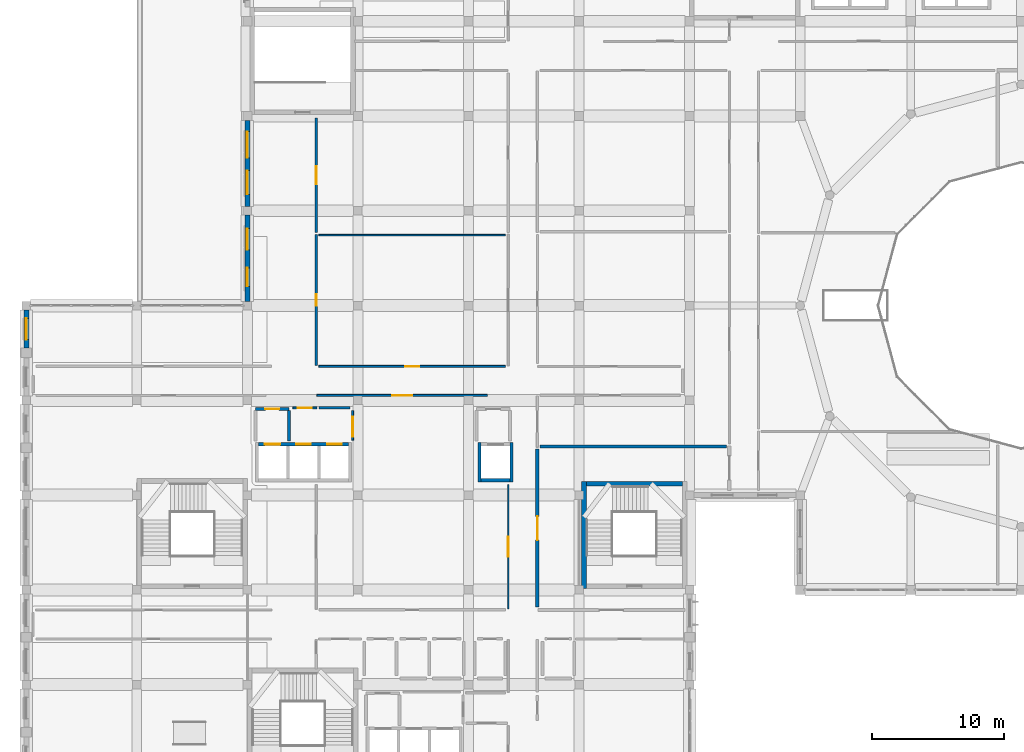
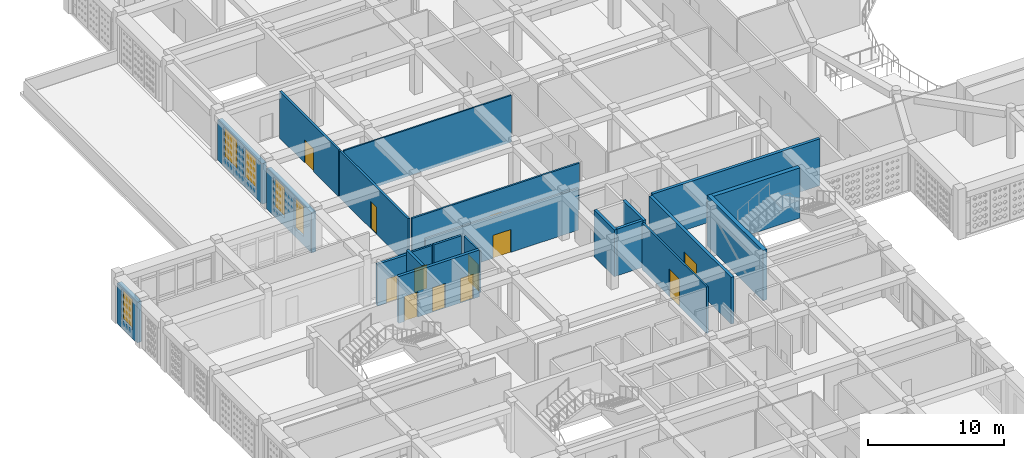
# One storey, part 43 of 79: 22 walls, 12 doors, 5 windows, 17 openings.
"""IFC4 building model written with IfcOpenShell, lengths in metres."""

from ifc_helpers import new_model, si_unit, derived_unit, direction, frame, frame_2d, origin, place, context, subcontext, project, spatial, rectangle, extrude, material, layer, layer_set, type_object, element, fill, save


model = new_model("IFC4")

# Units and contexts
model_context = context("Model", 3, precision=1e-05, world=origin(), true_north=direction((0.0, 1.0)))
body_context = subcontext(model_context, "Body", "Model", "MODEL_VIEW")
ifc_project = project(units=[si_unit("LENGTHUNIT", "METRE"), si_unit("AREAUNIT", "SQUARE_METRE"), si_unit("VOLUMEUNIT", "CUBIC_METRE"), si_unit("PLANEANGLEUNIT", "RADIAN"), si_unit("MASSUNIT", "GRAM", prefix="KILO"), derived_unit("THERMALTRANSMITTANCEUNIT", [(si_unit("POWERUNIT", "WATT"), 1), (si_unit("LENGTHUNIT", "METRE"), -2), (si_unit("THERMODYNAMICTEMPERATUREUNIT", "KELVIN"), -1)])], contexts=[model_context])

# Site, building, storey
site_placement = place(None, origin())
site = spatial("IfcSite", under=ifc_project, at=site_placement, CompositionType="ELEMENT")
building_placement = place(site_placement, origin())
building = spatial("IfcBuilding", under=site, at=building_placement, Name="Veybourne Emporium", CompositionType="ELEMENT")
storey_placement = place(building_placement, frame((0.0, 0.0, 18.89990234375)))
storey = spatial("IfcBuildingStorey", under=building, at=storey_placement, Name="L04", CompositionType="ELEMENT", Elevation=18.89990234375)

# Wall, opening, window
ifc_material_1 = material(Name="Portland Limestone Ashlar", Category="masonry")
ifc_layer_1 = layer(ifc_material_1, 0.3798828125)
ifc_layer_set_1 = layer_set([ifc_layer_1], Name="Portland Limestone Ashlar")
wall_type_1 = type_object("IfcWallType", Name="ExtWall_EW-03", PredefinedType="SOLIDWALL", material=ifc_layer_set_1)
wall_1_placement = place(storey_placement, frame((0.0, 47.169921875, 0.0), z_axis=(0.0, 0.0, 1.0), x_axis=(0.0, 1.0, 0.0)))
wall_1 = element("IfcWall", 1, at=wall_1_placement, inside=storey, type_object=wall_type_1, Name="L04 Portland stone external wall 007B", PredefinedType="SOLIDWALL", context=body_context, shape_type="SweptSolid", body=[
    extrude(rectangle(XDim=2.905029296875, YDim=0.3798828125, at=frame_2d((1.45263671875, 0.0))), origin(), (0.0, 0.0, 1.0), 3.630126953125),
])
opening_1_placement = place(wall_1_placement, frame((0.652587890625, 0.0, 0.75)))
opening_1 = element("IfcOpeningElement", 2, at=opening_1_placement, cuts=wall_1, Name="Opening W-43", PredefinedType="OPENING", context=body_context, shape_type="SweptSolid", body=[
    extrude(rectangle(XDim=1.60009765625, YDim=2.72998046875, at=frame_2d((0.800048828125, 1.364990234375))), frame((0.0, 0.2099609375, 0.0), z_axis=(0.0, -1.0, 0.0), x_axis=(1.0, 0.0, 0.0)), (0.0, 0.0, 1.0), 0.419921875),
])
ifc_material_2 = material(Name="Low-E Triple Glazing", Category="glass")
window_type_1 = type_object("IfcWindowType", Name="Win_W-43", PartitioningType="DOUBLE_PANEL_VERTICAL", PredefinedType="WINDOW", material=ifc_material_2)
window_1_placement = place(opening_1_placement, origin())
window_1 = element("IfcWindow", 3, at=window_1_placement, inside=storey, type_object=window_type_1, Name="L04 tripartite bronze casement window W-43 (7B)", OverallHeight=2.72998046875, OverallWidth=1.60009765625, PartitioningType="DOUBLE_PANEL_VERTICAL", PredefinedType="WINDOW", context=body_context, shape_type="SweptSolid", body=[
    extrude(rectangle(XDim=1.60009765625, YDim=2.72998046875, at=frame_2d((0.800048828125, 1.364990234375))), frame((0.0, 0.030029296875, 0.0), z_axis=(0.0, -1.0, 0.0), x_axis=(1.0, 0.0, 0.0)), (0.0, 0.0, 1.0), 0.06005859375),
])
fill(opening_1, window_1)

# Wall, openings, windows
wall_2_placement = place(storey_placement, frame((16.800048828125, 50.72509765625, 0.0), z_axis=(0.0, 0.0, 1.0), x_axis=(0.0, 1.0, 0.0)))
wall_2 = element("IfcWall", 4, at=wall_2_placement, inside=storey, type_object=wall_type_1, Name="L04 Portland stone external wall 013", PredefinedType="SOLIDWALL", context=body_context, shape_type="SweptSolid", body=[
    extrude(rectangle(XDim=6.5498046875, YDim=0.3798828125, at=frame_2d((3.27490234375, 0.0))), origin(), (0.0, 0.0, 1.0), 3.630126953125),
])
opening_2_placement = place(wall_2_placement, frame((1.134033203125, 0.0, 0.75)))
opening_2 = element("IfcOpeningElement", 5, at=opening_2_placement, cuts=wall_2, Name="Opening W-50", PredefinedType="OPENING", context=body_context, shape_type="SweptSolid", body=[
    extrude(rectangle(XDim=1.39990234375, YDim=2.72998046875, at=frame_2d((0.699951171875, 1.364990234375))), frame((0.0, 0.2099609375, 0.0), z_axis=(0.0, -1.0, 0.0), x_axis=(1.0, 0.0, 0.0)), (0.0, 0.0, 1.0), 0.419921875),
])
opening_3_placement = place(wall_2_placement, frame((3.916015625, 0.0, 0.75)))
opening_3 = element("IfcOpeningElement", 6, at=opening_3_placement, cuts=wall_2, Name="Opening W-51", PredefinedType="OPENING", context=body_context, shape_type="SweptSolid", body=[
    extrude(rectangle(XDim=1.60009765625, YDim=2.72998046875, at=frame_2d((0.800048828125, 1.364990234375))), frame((0.0, 0.2099609375, 0.0), z_axis=(0.0, -1.0, 0.0), x_axis=(1.0, 0.0, 0.0)), (0.0, 0.0, 1.0), 0.419921875),
])
window_type_2 = type_object("IfcWindowType", Name="Win_W-50", PartitioningType="DOUBLE_PANEL_VERTICAL", PredefinedType="WINDOW", material=ifc_material_2)
window_2_placement = place(opening_2_placement, origin())
window_2 = element("IfcWindow", 7, at=window_2_placement, inside=storey, type_object=window_type_2, Name="L04 tripartite bronze casement window W-50 (13.1)", OverallHeight=2.72998046875, OverallWidth=1.39990234375, PartitioningType="DOUBLE_PANEL_VERTICAL", PredefinedType="WINDOW", context=body_context, shape_type="SweptSolid", body=[
    extrude(rectangle(XDim=1.39990234375, YDim=2.72998046875, at=frame_2d((0.699951171875, 1.364990234375))), frame((0.0, 0.030029296875, 0.0), z_axis=(0.0, -1.0, 0.0), x_axis=(1.0, 0.0, 0.0)), (0.0, 0.0, 1.0), 0.06005859375),
])
fill(opening_2, window_2)
window_type_3 = type_object("IfcWindowType", Name="Win_W-51", PartitioningType="DOUBLE_PANEL_VERTICAL", PredefinedType="WINDOW", material=ifc_material_2)
window_3_placement = place(opening_3_placement, origin())
window_3 = element("IfcWindow", 8, at=window_3_placement, inside=storey, type_object=window_type_3, Name="L04 tripartite bronze casement window W-51 (13.2)", OverallHeight=2.72998046875, OverallWidth=1.60009765625, PartitioningType="DOUBLE_PANEL_VERTICAL", PredefinedType="WINDOW", context=body_context, shape_type="SweptSolid", body=[
    extrude(rectangle(XDim=1.60009765625, YDim=2.72998046875, at=frame_2d((0.800048828125, 1.364990234375))), frame((0.0, 0.030029296875, 0.0), z_axis=(0.0, -1.0, 0.0), x_axis=(1.0, 0.0, 0.0)), (0.0, 0.0, 1.0), 0.06005859375),
])
fill(opening_3, window_3)

wall_3_placement = place(storey_placement, frame((16.800048828125, 57.925048828125, 0.0), z_axis=(0.0, 0.0, 1.0), x_axis=(0.0, 1.0, 0.0)))
wall_3 = element("IfcWall", 9, at=wall_3_placement, inside=storey, type_object=wall_type_1, Name="L04 Portland stone external wall 014", PredefinedType="SOLIDWALL", context=body_context, shape_type="SweptSolid", body=[
    extrude(rectangle(XDim=6.52490234375, YDim=0.3798828125, at=frame_2d((3.262451171875, 0.0))), origin(), (0.0, 0.0, 1.0), 3.630126953125),
])
opening_4_placement = place(wall_3_placement, frame((0.927001953125, 0.0, 0.75)))
opening_4 = element("IfcOpeningElement", 10, at=opening_4_placement, cuts=wall_3, Name="Opening W-52", PredefinedType="OPENING", context=body_context, shape_type="SweptSolid", body=[
    extrude(rectangle(XDim=1.800048828125, YDim=2.72998046875, at=frame_2d((0.89990234375, 1.364990234375))), frame((0.0, 0.2099609375, 0.0), z_axis=(0.0, -1.0, 0.0), x_axis=(1.0, 0.0, 0.0)), (0.0, 0.0, 1.0), 0.419921875),
])
opening_5_placement = place(wall_3_placement, frame((3.697998046875, 0.0, 0.75)))
opening_5 = element("IfcOpeningElement", 11, at=opening_5_placement, cuts=wall_3, Name="Opening W-53", PredefinedType="OPENING", context=body_context, shape_type="SweptSolid", body=[
    extrude(rectangle(XDim=2.0, YDim=2.72998046875, at=frame_2d((1.0, 1.364990234375))), frame((0.0, 0.2099609375, 0.0), z_axis=(0.0, -1.0, 0.0), x_axis=(1.0, 0.0, 0.0)), (0.0, 0.0, 1.0), 0.419921875),
])
window_type_4 = type_object("IfcWindowType", Name="Win_W-52", PartitioningType="DOUBLE_PANEL_VERTICAL", PredefinedType="WINDOW", material=ifc_material_2)
window_4_placement = place(opening_4_placement, origin())
window_4 = element("IfcWindow", 12, at=window_4_placement, inside=storey, type_object=window_type_4, Name="L04 tripartite bronze casement window W-52 (14.1)", OverallHeight=2.72998046875, OverallWidth=1.800048828125, PartitioningType="DOUBLE_PANEL_VERTICAL", PredefinedType="WINDOW", context=body_context, shape_type="SweptSolid", body=[
    extrude(rectangle(XDim=1.800048828125, YDim=2.72998046875, at=frame_2d((0.89990234375, 1.364990234375))), frame((0.0, 0.030029296875, 0.0), z_axis=(0.0, -1.0, 0.0), x_axis=(1.0, 0.0, 0.0)), (0.0, 0.0, 1.0), 0.06005859375),
])
fill(opening_4, window_4)
window_type_5 = type_object("IfcWindowType", Name="Win_W-53", PartitioningType="TRIPLE_PANEL_VERTICAL", PredefinedType="WINDOW", material=ifc_material_2)
window_5_placement = place(opening_5_placement, origin())
window_5 = element("IfcWindow", 13, at=window_5_placement, inside=storey, type_object=window_type_5, Name="L04 tripartite bronze casement window W-53 (14.2)", OverallHeight=2.72998046875, OverallWidth=2.0, PartitioningType="TRIPLE_PANEL_VERTICAL", PredefinedType="WINDOW", context=body_context, shape_type="SweptSolid", body=[
    extrude(rectangle(XDim=2.0, YDim=2.72998046875, at=frame_2d((1.0, 1.364990234375))), frame((0.0, 0.030029296875, 0.0), z_axis=(0.0, -1.0, 0.0), x_axis=(1.0, 0.0, 0.0)), (0.0, 0.0, 1.0), 0.06005859375),
])
fill(opening_5, window_5)

# Walls
ifc_material_3 = material(Name="Concrete C40/50", Category="concrete")
ifc_layer_2 = layer(ifc_material_3, 0.35009765625)
ifc_layer_set_2 = layer_set([ifc_layer_2], Name="Concrete C40/50")
wall_type_2 = type_object("IfcWallType", Name="IntWall_CW-02", PredefinedType="SHEAR", material=ifc_layer_set_2)
wall_4_placement = place(storey_placement, frame((42.550048828125, 36.875, 0.0), z_axis=(0.0, 0.0, 1.0), x_axis=(1.0, 0.0, 0.0)))
element("IfcWall", 14, at=wall_4_placement, inside=storey, type_object=wall_type_2, Name="Core stair ST-05 north shear wall (L04)", PredefinedType="SHEAR", context=body_context, shape_type="SweptSolid", body=[
    extrude(rectangle(XDim=7.300048828125, YDim=0.35009765625, at=frame_2d((3.64990234375, 0.0))), origin(), (0.0, 0.0, 1.0), 4.5),
])
wall_5_placement = place(storey_placement, frame((42.375, 37.050048828125, 0.0), z_axis=(0.0, 0.0, 1.0), x_axis=(0.0, -1.0, 0.0)))
element("IfcWall", 15, at=wall_5_placement, inside=storey, type_object=wall_type_2, Name="Core stair ST-05 west shear wall (L04)", PredefinedType="SHEAR", context=body_context, shape_type="SweptSolid", body=[
    extrude(rectangle(XDim=8.150146484375, YDim=0.35009765625, at=frame_2d((4.0751953125, 0.0))), origin(), (0.0, 0.0, 1.0), 4.5),
])

# Wall, openings, doors
ifc_layer_3 = layer(ifc_material_3, 0.239990234375)
ifc_layer_set_3 = layer_set([ifc_layer_3], Name="Concrete C40/50")
wall_type_3 = type_object("IfcWallType", Name="IntWall_CW-04", PredefinedType="SHEAR", material=ifc_layer_set_3)
wall_6_placement = place(storey_placement, frame((24.47998046875, 39.8701171875, 0.0), z_axis=(0.0, 0.0, 1.0), x_axis=(-1.0, 0.0, 0.0)))
wall_6 = element("IfcWall", 16, at=wall_6_placement, inside=storey, type_object=wall_type_3, Name="Lift core C2 north shaft wall (L04)", PredefinedType="SHEAR", context=body_context, shape_type="SweptSolid", body=[
    extrude(rectangle(XDim=6.820068359375, YDim=0.239990234375, at=frame_2d((3.41015625, 0.0))), origin(), (0.0, 0.0, 1.0), 4.18017578125),
])
opening_6_placement = place(wall_6_placement, frame((5.195068359375, 0.0, 0.0)))
opening_6 = element("IfcOpeningElement", 17, at=opening_6_placement, cuts=wall_6, Name="Opening LD-02", PredefinedType="OPENING", context=body_context, shape_type="SweptSolid", body=[
    extrude(rectangle(XDim=1.14990234375, YDim=2.25, at=frame_2d((0.574951171875, 1.125))), frame((0.0, 0.14013671875, 0.0), z_axis=(0.0, -1.0, 0.0), x_axis=(1.0, 0.0, 0.0)), (0.0, 0.0, 1.0), 0.280029296875),
])
opening_7_placement = place(wall_6_placement, frame((2.8701171875, 0.0, 0.0)))
opening_7 = element("IfcOpeningElement", 18, at=opening_7_placement, cuts=wall_6, Name="Opening LD-01", PredefinedType="OPENING", context=body_context, shape_type="SweptSolid", body=[
    extrude(rectangle(XDim=1.10009765625, YDim=2.199951171875, at=frame_2d((0.550048828125, 1.10009765625))), frame((0.0, 0.14013671875, 0.0), z_axis=(0.0, -1.0, 0.0), x_axis=(1.0, 0.0, 0.0)), (0.0, 0.0, 1.0), 0.280029296875),
])
opening_8_placement = place(wall_6_placement, frame((0.510009765625, 0.0, 0.0)))
opening_8 = element("IfcOpeningElement", 19, at=opening_8_placement, cuts=wall_6, Name="Opening LD-01", PredefinedType="OPENING", context=body_context, shape_type="SweptSolid", body=[
    extrude(rectangle(XDim=1.10009765625, YDim=2.199951171875, at=frame_2d((0.550048828125, 1.10009765625))), frame((0.0, 0.14013671875, 0.0), z_axis=(0.0, -1.0, 0.0), x_axis=(1.0, 0.0, 0.0)), (0.0, 0.0, 1.0), 0.280029296875),
])
ifc_material_4 = material(Name="Patinated Architectural Bronze", Category="bronze")
door_type_1 = type_object("IfcDoorType", Name="FireDoor_LD-01", OperationType="DOUBLE_DOOR_SLIDING", PredefinedType="DOOR", material=ifc_material_4)
door_1_placement = place(opening_7_placement, origin())
door_1 = element("IfcDoor", 20, at=door_1_placement, inside=storey, type_object=door_type_1, Name="Lift PL-03 sliding landing door (L04)", OperationType="DOUBLE_DOOR_SLIDING", OverallHeight=2.199951171875, OverallWidth=1.10009765625, PredefinedType="DOOR", context=body_context, shape_type="SweptSolid", body=[
    extrude(rectangle(XDim=1.10009765625, YDim=2.199951171875, at=frame_2d((0.550048828125, 1.10009765625))), frame((0.0, 0.02490234375, 0.0), z_axis=(0.0, -1.0, 0.0), x_axis=(1.0, 0.0, 0.0)), (0.0, 0.0, 1.0), 0.050048828125),
])
fill(opening_7, door_1)
door_2_placement = place(opening_8_placement, origin())
door_2 = element("IfcDoor", 21, at=door_2_placement, inside=storey, type_object=door_type_1, Name="Lift PL-04 sliding landing door (L04)", OperationType="DOUBLE_DOOR_SLIDING", OverallHeight=2.199951171875, OverallWidth=1.10009765625, PredefinedType="DOOR", context=body_context, shape_type="SweptSolid", body=[
    extrude(rectangle(XDim=1.10009765625, YDim=2.199951171875, at=frame_2d((0.550048828125, 1.10009765625))), frame((0.0, 0.02490234375, 0.0), z_axis=(0.0, -1.0, 0.0), x_axis=(1.0, 0.0, 0.0)), (0.0, 0.0, 1.0), 0.050048828125),
])
fill(opening_8, door_2)
door_type_2 = type_object("IfcDoorType", Name="FireDoor_LD-02", OperationType="SLIDING_TO_LEFT", PredefinedType="DOOR", material=ifc_material_4)
door_3_placement = place(opening_6_placement, origin())
door_3 = element("IfcDoor", 22, at=door_3_placement, inside=storey, type_object=door_type_2, Name="Lift FFL-02 sliding landing door (L04)", OperationType="SLIDING_TO_LEFT", OverallHeight=2.25, OverallWidth=1.14990234375, PredefinedType="DOOR", context=body_context, shape_type="SweptSolid", body=[
    extrude(rectangle(XDim=1.14990234375, YDim=2.25, at=frame_2d((0.574951171875, 1.125))), frame((0.0, 0.02490234375, 0.0), z_axis=(0.0, -1.0, 0.0), x_axis=(1.0, 0.0, 0.0)), (0.0, 0.0, 1.0), 0.050048828125),
])
fill(opening_6, door_3)

# Walls
wall_7_placement = place(storey_placement, frame((34.56005859375, 37.1298828125, 0.0), z_axis=(0.0, 0.0, 1.0), x_axis=(1.0, 0.0, 0.0)))
element("IfcWall", 23, at=wall_7_placement, inside=storey, type_object=wall_type_3, Name="Lift core C3 south shaft wall (L04)", PredefinedType="SHEAR", context=body_context, shape_type="SweptSolid", body=[
    extrude(rectangle(XDim=2.199951171875, YDim=0.239990234375, at=frame_2d((1.10009765625, 0.0))), origin(), (0.0, 0.0, 1.0), 4.18017578125),
])
for number, where, z_axis, x_axis, name in (
    (24, (34.43994140625, 39.989990234375, 0.0), (0.0, 0.0, 1.0), (0.0, -1.0, 0.0), "Lift core C3 west shaft wall (L04)"),
    (25, (36.8798828125, 37.010009765625, 0.0), (0.0, 0.0, 1.0), (0.0, 1.0, 0.0), "Lift core C3 east shaft wall (L04)"),
):
    element("IfcWall", number, at=place(storey_placement, frame(where, z_axis=z_axis, x_axis=x_axis)), inside=storey, type_object=wall_type_3, Name=name, PredefinedType="SHEAR", context=body_context, shape_type="SweptSolid", body=[
        extrude(rectangle(XDim=2.97998046875, YDim=0.239990234375, at=frame_2d((1.489990234375, 0.0))), origin(), (0.0, 0.0, 1.0), 4.18017578125),
    ])

# Wall, opening, door
ifc_material_5 = material(Name="Concrete C32/40", Category="concrete")
ifc_layer_4 = layer(ifc_material_5, 0.25)
ifc_layer_set_4 = layer_set([ifc_layer_4], Name="Concrete C32/40")
wall_type_4 = type_object("IfcWallType", Name="IntWall_FW-01", PredefinedType="SOLIDWALL", material=ifc_layer_set_4)
wall_8_placement = place(storey_placement, frame((38.830078125, 27.489990234375, 0.0), z_axis=(0.0, 0.0, 1.0), x_axis=(0.0, 1.0, 0.0)))
wall_8 = element("IfcWall", 26, at=wall_8_placement, inside=storey, type_object=wall_type_4, Name="L04 interior partition FW-01 #026", PredefinedType="SOLIDWALL", context=body_context, shape_type="SweptSolid", body=[
    extrude(rectangle(XDim=12.0, YDim=0.25, at=frame_2d((6.0, 0.0))), origin(), (0.0, 0.0, 1.0), 4.18017578125),
])
opening_9_placement = place(wall_8_placement, frame((5.10009765625, 0.0, 0.0)))
opening_9 = element("IfcOpeningElement", 27, at=opening_9_placement, cuts=wall_8, Name="Opening FD-03", PredefinedType="OPENING", context=body_context, shape_type="SweptSolid", body=[
    extrude(rectangle(XDim=1.800048828125, YDim=2.300048828125, at=frame_2d((0.89990234375, 1.14990234375))), frame((0.0, 0.14501953125, 0.0), z_axis=(0.0, -1.0, 0.0), x_axis=(1.0, 0.0, 0.0)), (0.0, 0.0, 1.0), 0.2900390625),
])
door_type_3 = type_object("IfcDoorType", Name="FireDoor_FD-03", OperationType="DOUBLE_DOOR_SINGLE_SWING", PredefinedType="DOOR", material=ifc_material_4)
door_4_placement = place(opening_9_placement, origin())
door_4 = element("IfcDoor", 28, at=door_4_placement, inside=storey, type_object=door_type_3, Name="L04 interior door FD-03 (PART-L04-026)", OperationType="DOUBLE_DOOR_SINGLE_SWING", OverallHeight=2.300048828125, OverallWidth=1.800048828125, PredefinedType="DOOR", context=body_context, shape_type="SweptSolid", body=[
    extrude(rectangle(XDim=1.800048828125, YDim=2.300048828125, at=frame_2d((0.89990234375, 1.14990234375))), frame((0.0, 0.02490234375, 0.0), z_axis=(0.0, -1.0, 0.0), x_axis=(1.0, 0.0, 0.0)), (0.0, 0.0, 1.0), 0.050048828125),
])
fill(opening_9, door_4)

# Wall
wall_9_placement = place(storey_placement, frame((39.0400390625, 39.699951171875, 0.0), z_axis=(0.0, 0.0, 1.0), x_axis=(1.0, 0.0, 0.0)))
element("IfcWall", 29, at=wall_9_placement, inside=storey, type_object=wall_type_4, Name="L04 interior partition FW-01 #111", PredefinedType="SOLIDWALL", context=body_context, shape_type="SweptSolid", body=[
    extrude(rectangle(XDim=14.169921875, YDim=0.25, at=frame_2d((7.0849609375, 0.0))), origin(), (0.0, 0.0, 1.0), 4.18017578125),
])

# Wall, opening, door
ifc_layer_5 = layer(ifc_material_5, 0.219970703125)
ifc_layer_set_5 = layer_set([ifc_layer_5], Name="Concrete C32/40")
wall_type_5 = type_object("IfcWallType", Name="IntWall_FW-02", PredefinedType="SOLIDWALL", material=ifc_layer_set_5)
wall_10_placement = place(storey_placement, frame((17.419921875, 42.550048828125, 0.0), z_axis=(0.0, 0.0, 1.0), x_axis=(1.0, 0.0, 0.0)))
wall_10 = element("IfcWall", 30, at=wall_10_placement, inside=storey, type_object=wall_type_5, Name="Firefighting lobby C2 fire wall N (L04)", PredefinedType="SOLIDWALL", context=body_context, shape_type="SweptSolid", body=[
    extrude(rectangle(XDim=2.5400390625, YDim=0.219970703125, at=frame_2d((1.27001953125, 0.0))), origin(), (0.0, 0.0, 1.0), 3.72998046875),
])
opening_10_placement = place(wall_10_placement, frame((0.7451171875, 0.0, 0.0)))
opening_10 = element("IfcOpeningElement", 31, at=opening_10_placement, cuts=wall_10, Name="Opening FD-02", PredefinedType="OPENING", context=body_context, shape_type="SweptSolid", body=[
    extrude(rectangle(XDim=1.050048828125, YDim=2.14990234375, at=frame_2d((0.52490234375, 1.074951171875))), frame((0.0, 0.1298828125, 0.0), z_axis=(0.0, -1.0, 0.0), x_axis=(1.0, 0.0, 0.0)), (0.0, 0.0, 1.0), 0.260009765625),
])
door_type_4 = type_object("IfcDoorType", Name="FireDoor_FD-02", OperationType="NOTDEFINED", PredefinedType="DOOR", material=ifc_material_4)
door_5_placement = place(opening_10_placement, origin())
door_5 = element("IfcDoor", 32, at=door_5_placement, inside=storey, type_object=door_type_4, Name="Firefighting lobby C2 FD60S door N (L04)", OperationType="SINGLE_SWING_LEFT", OverallHeight=2.14990234375, OverallWidth=1.050048828125, PredefinedType="DOOR", context=body_context, shape_type="SweptSolid", body=[
    extrude(rectangle(XDim=1.050048828125, YDim=2.14990234375, at=frame_2d((0.52490234375, 1.074951171875))), frame((0.0, 0.02490234375, 0.0), z_axis=(0.0, -1.0, 0.0), x_axis=(1.0, 0.0, 0.0)), (0.0, 0.0, 1.0), 0.050048828125),
])
fill(opening_10, door_5)

# Wall
wall_11_placement = place(storey_placement, frame((19.9599609375, 40.110107421875, 0.0), z_axis=(0.0, 0.0, 1.0), x_axis=(0.0, 1.0, 0.0)))
element("IfcWall", 33, at=wall_11_placement, inside=storey, type_object=wall_type_5, Name="Firefighting lobby C2 fire wall E (L04)", PredefinedType="SOLIDWALL", context=body_context, shape_type="SweptSolid", body=[
    extrude(rectangle(XDim=2.31982421875, YDim=0.219970703125, at=frame_2d((1.159912109375, 0.0))), origin(), (0.0, 0.0, 1.0), 4.18017578125),
])

# Wall, opening, door
ifc_material_6 = material(Name="Gypsum Acoustic Board", Category="gypsum")
ifc_layer_6 = layer(ifc_material_6, 0.179931640625)
ifc_layer_set_6 = layer_set([ifc_layer_6], Name="Gypsum Acoustic Board")
wall_type_6 = type_object("IfcWallType", Name="IntWall_IW-01", PredefinedType="PARTITIONING", material=ifc_layer_set_6)
wall_12_placement = place(storey_placement, frame((22.030029296875, 45.830078125, 0.0), z_axis=(0.0, 0.0, 1.0), x_axis=(0.0, 1.0, 0.0)))
wall_12 = element("IfcWall", 34, at=wall_12_placement, inside=storey, type_object=wall_type_6, Name="L04 interior partition IW-01 #043", PredefinedType="PARTITIONING", context=body_context, shape_type="SweptSolid", body=[
    extrude(rectangle(XDim=9.974853515625, YDim=0.179931640625, at=frame_2d((4.9873046875, 0.0))), origin(), (0.0, 0.0, 1.0), 4.18017578125),
])
opening_11_placement = place(wall_12_placement, frame((4.547607421875, 0.0, 0.0)))
opening_11 = element("IfcOpeningElement", 35, at=opening_11_placement, cuts=wall_12, Name="Opening D-31", PredefinedType="OPENING", context=body_context, shape_type="SweptSolid", body=[
    extrude(rectangle(XDim=0.8798828125, YDim=2.449951171875, at=frame_2d((0.43994140625, 1.22509765625))), frame((0.0, 0.10986328125, 0.0), z_axis=(0.0, -1.0, 0.0), x_axis=(1.0, 0.0, 0.0)), (0.0, 0.0, 1.0), 0.219970703125),
])
ifc_material_7 = material(Name="European Oak Veneer and Bronze", Category="wood")
door_type_5 = type_object("IfcDoorType", Name="IntDoor_D-31", OperationType="NOTDEFINED", PredefinedType="DOOR", material=ifc_material_7)
door_6_placement = place(opening_11_placement, origin())
door_6 = element("IfcDoor", 36, at=door_6_placement, inside=storey, type_object=door_type_5, Name="L04 interior door D-31 (PART-L04-043)", OperationType="SINGLE_SWING_LEFT", OverallHeight=2.449951171875, OverallWidth=0.8798828125, PredefinedType="DOOR", context=body_context, shape_type="SweptSolid", body=[
    extrude(rectangle(XDim=0.8798828125, YDim=2.449951171875, at=frame_2d((0.43994140625, 1.22509765625))), frame((0.0, 0.02490234375, 0.0), z_axis=(0.0, -1.0, 0.0), x_axis=(1.0, 0.0, 0.0)), (0.0, 0.0, 1.0), 0.050048828125),
])
fill(opening_11, door_6)

wall_13_placement = place(storey_placement, frame((22.030029296875, 55.965087890625, 0.0), z_axis=(0.0, 0.0, 1.0), x_axis=(0.0, 1.0, 0.0)))
wall_13 = element("IfcWall", 37, at=wall_13_placement, inside=storey, type_object=wall_type_6, Name="L04 interior partition IW-01 #052", PredefinedType="PARTITIONING", context=body_context, shape_type="SweptSolid", body=[
    extrude(rectangle(XDim=8.67138671875, YDim=0.179931640625, at=frame_2d((4.335693359375, 0.0))), origin(), (0.0, 0.0, 1.0), 4.18017578125),
])
opening_12_placement = place(wall_13_placement, frame((3.65576171875, 0.0, 0.0)))
opening_12 = element("IfcOpeningElement", 38, at=opening_12_placement, cuts=wall_13, Name="Opening D-04", PredefinedType="OPENING", context=body_context, shape_type="SweptSolid", body=[
    extrude(rectangle(XDim=1.360107421875, YDim=2.050048828125, at=frame_2d((0.68017578125, 1.02490234375))), frame((0.0, 0.10986328125, 0.0), z_axis=(0.0, -1.0, 0.0), x_axis=(1.0, 0.0, 0.0)), (0.0, 0.0, 1.0), 0.219970703125),
])
door_type_6 = type_object("IfcDoorType", Name="IntDoor_D-04", OperationType="NOTDEFINED", PredefinedType="DOOR", material=ifc_material_7)
door_7_placement = place(opening_12_placement, origin())
door_7 = element("IfcDoor", 39, at=door_7_placement, inside=storey, type_object=door_type_6, Name="L04 interior door D-04 (PART-L04-052)", OperationType="SINGLE_SWING_RIGHT", OverallHeight=2.050048828125, OverallWidth=1.360107421875, PredefinedType="DOOR", context=body_context, shape_type="SweptSolid", body=[
    extrude(rectangle(XDim=1.360107421875, YDim=2.050048828125, at=frame_2d((0.68017578125, 1.02490234375))), frame((0.0, 0.02490234375, 0.0), z_axis=(0.0, -1.0, 0.0), x_axis=(1.0, 0.0, 0.0)), (0.0, 0.0, 1.0), 0.050048828125),
])
fill(opening_12, door_7)

# Wall
wall_14_placement = place(storey_placement, frame((22.239990234375, 42.6298828125, 0.0), z_axis=(0.0, 0.0, 1.0), x_axis=(1.0, 0.0, 0.0)))
element("IfcWall", 40, at=wall_14_placement, inside=storey, type_object=wall_type_6, Name="L04 interior partition IW-01 #076", PredefinedType="PARTITIONING", context=body_context, shape_type="SweptSolid", body=[
    extrude(rectangle(XDim=2.35009765625, YDim=0.179931640625, at=frame_2d((1.175048828125, 0.0))), origin(), (0.0, 0.0, 1.0), 3.72998046875),
])

# Wall, opening, door
ifc_layer_7 = layer(ifc_material_6, 0.14990234375)
ifc_layer_set_7 = layer_set([ifc_layer_7], Name="Gypsum Acoustic Board")
wall_type_7 = type_object("IfcWallType", Name="IntWall_IW-02", PredefinedType="PARTITIONING", material=ifc_layer_set_7)
wall_15_placement = place(storey_placement, frame((22.080078125, 43.570068359375, 0.0), z_axis=(0.0, 0.0, 1.0), x_axis=(1.0, 0.0, 0.0)))
wall_15 = element("IfcWall", 41, at=wall_15_placement, inside=storey, type_object=wall_type_7, Name="L04 interior partition IW-02 #017", PredefinedType="PARTITIONING", context=body_context, shape_type="SweptSolid", body=[
    extrude(rectangle(XDim=12.9501953125, YDim=0.14990234375, at=frame_2d((6.47509765625, 0.0))), origin(), (0.0, 0.0, 1.0), 3.72998046875),
])
opening_13_placement = place(wall_15_placement, frame((5.715087890625, 0.0, 0.0)))
opening_13 = element("IfcOpeningElement", 42, at=opening_13_placement, cuts=wall_15, Name="Opening D-05", PredefinedType="OPENING", context=body_context, shape_type="SweptSolid", body=[
    extrude(rectangle(XDim=1.52001953125, YDim=2.050048828125, at=frame_2d((0.760009765625, 1.02490234375))), frame((0.0, 0.094970703125, 0.0), z_axis=(0.0, -1.0, 0.0), x_axis=(1.0, 0.0, 0.0)), (0.0, 0.0, 1.0), 0.18994140625),
])
door_type_7 = type_object("IfcDoorType", Name="IntDoor_D-05", OperationType="NOTDEFINED", PredefinedType="DOOR", material=ifc_material_7)
door_8_placement = place(opening_13_placement, origin())
door_8 = element("IfcDoor", 43, at=door_8_placement, inside=storey, type_object=door_type_7, Name="L04 interior door D-05 (PART-L04-017)", OperationType="SINGLE_SWING_RIGHT", OverallHeight=2.050048828125, OverallWidth=1.52001953125, PredefinedType="DOOR", context=body_context, shape_type="SweptSolid", body=[
    extrude(rectangle(XDim=1.52001953125, YDim=2.050048828125, at=frame_2d((0.760009765625, 1.02490234375))), frame((0.0, 0.02490234375, 0.0), z_axis=(0.0, -1.0, 0.0), x_axis=(1.0, 0.0, 0.0)), (0.0, 0.0, 1.0), 0.050048828125),
])
fill(opening_13, door_8)

wall_16_placement = place(storey_placement, frame((22.239990234375, 45.780029296875, 0.0), z_axis=(0.0, 0.0, 1.0), x_axis=(1.0, 0.0, 0.0)))
wall_16 = element("IfcWall", 44, at=wall_16_placement, inside=storey, type_object=wall_type_7, Name="L04 interior partition IW-02 #020", PredefinedType="PARTITIONING", context=body_context, shape_type="SweptSolid", body=[
    extrude(rectangle(XDim=14.169921875, YDim=0.14990234375, at=frame_2d((7.0849609375, 0.0))), origin(), (0.0, 0.0, 1.0), 4.18017578125),
])
opening_14_placement = place(wall_16_placement, frame((6.56494140625, 0.0, 0.0)))
opening_14 = element("IfcOpeningElement", 45, at=opening_14_placement, cuts=wall_16, Name="Opening D-08", PredefinedType="OPENING", context=body_context, shape_type="SweptSolid", body=[
    extrude(rectangle(XDim=1.0400390625, YDim=2.1298828125, at=frame_2d((0.52001953125, 1.06494140625))), frame((0.0, 0.094970703125, 0.0), z_axis=(0.0, -1.0, 0.0), x_axis=(1.0, 0.0, 0.0)), (0.0, 0.0, 1.0), 0.18994140625),
])
door_type_8 = type_object("IfcDoorType", Name="IntDoor_D-08", OperationType="NOTDEFINED", PredefinedType="DOOR", material=ifc_material_7)
door_9_placement = place(opening_14_placement, origin())
door_9 = element("IfcDoor", 46, at=door_9_placement, inside=storey, type_object=door_type_8, Name="L04 interior door D-08 (PART-L04-020)", OperationType="SINGLE_SWING_RIGHT", OverallHeight=2.1298828125, OverallWidth=1.0400390625, PredefinedType="DOOR", context=body_context, shape_type="SweptSolid", body=[
    extrude(rectangle(XDim=1.0400390625, YDim=2.1298828125, at=frame_2d((0.52001953125, 1.06494140625))), frame((0.0, 0.02490234375, 0.0), z_axis=(0.0, -1.0, 0.0), x_axis=(1.0, 0.0, 0.0)), (0.0, 0.0, 1.0), 0.050048828125),
])
fill(opening_14, door_9)

wall_17_placement = place(storey_placement, frame((36.6201171875, 27.330078125, 0.0), z_axis=(0.0, 0.0, 1.0), x_axis=(0.0, 1.0, 0.0)))
wall_17 = element("IfcWall", 47, at=wall_17_placement, inside=storey, type_object=wall_type_7, Name="L04 interior partition IW-02 #047", PredefinedType="PARTITIONING", context=body_context, shape_type="SweptSolid", body=[
    extrude(rectangle(XDim=9.469970703125, YDim=0.14990234375, at=frame_2d((4.73486328125, 0.0))), origin(), (0.0, 0.0, 1.0), 4.18017578125),
])
opening_15_placement = place(wall_17_placement, frame((3.97509765625, 0.0, 0.0)))
opening_15 = element("IfcOpeningElement", 48, at=opening_15_placement, cuts=wall_17, Name="Opening D-35", PredefinedType="OPENING", context=body_context, shape_type="SweptSolid", body=[
    extrude(rectangle(XDim=1.52001953125, YDim=2.449951171875, at=frame_2d((0.760009765625, 1.22509765625))), frame((0.0, 0.094970703125, 0.0), z_axis=(0.0, -1.0, 0.0), x_axis=(1.0, 0.0, 0.0)), (0.0, 0.0, 1.0), 0.18994140625),
])
door_type_9 = type_object("IfcDoorType", Name="IntDoor_D-35", OperationType="NOTDEFINED", PredefinedType="DOOR", material=ifc_material_7)
door_10_placement = place(opening_15_placement, origin())
door_10 = element("IfcDoor", 49, at=door_10_placement, inside=storey, type_object=door_type_9, Name="L04 interior door D-35 (PART-L04-047)", OperationType="SINGLE_SWING_LEFT", OverallHeight=2.449951171875, OverallWidth=1.52001953125, PredefinedType="DOOR", context=body_context, shape_type="SweptSolid", body=[
    extrude(rectangle(XDim=1.52001953125, YDim=2.449951171875, at=frame_2d((0.760009765625, 1.22509765625))), frame((0.0, 0.02490234375, 0.0), z_axis=(0.0, -1.0, 0.0), x_axis=(1.0, 0.0, 0.0)), (0.0, 0.0, 1.0), 0.050048828125),
])
fill(opening_15, door_10)

wall_18_placement = place(storey_placement, frame((24.800048828125, 40.177978515625, 0.0), z_axis=(0.0, 0.0, 1.0), x_axis=(0.0, 1.0, 0.0)))
wall_18 = element("IfcWall", 50, at=wall_18_placement, inside=storey, type_object=wall_type_7, Name="L04 interior partition IW-02 #077", PredefinedType="PARTITIONING", context=body_context, shape_type="SweptSolid", body=[
    extrude(rectangle(XDim=2.241943359375, YDim=0.14990234375, at=frame_2d((1.12109375, 0.0))), origin(), (0.0, 0.0, 1.0), 3.72998046875),
])
opening_16_placement = place(wall_18_placement, frame((0.24560546875, 0.0, 0.0)))
opening_16 = element("IfcOpeningElement", 51, at=opening_16_placement, cuts=wall_18, Name="Opening D-29", PredefinedType="OPENING", context=body_context, shape_type="SweptSolid", body=[
    extrude(rectangle(XDim=1.52001953125, YDim=2.3701171875, at=frame_2d((0.760009765625, 1.18505859375))), frame((0.0, 0.094970703125, 0.0), z_axis=(0.0, -1.0, 0.0), x_axis=(1.0, 0.0, 0.0)), (0.0, 0.0, 1.0), 0.18994140625),
])
door_type_10 = type_object("IfcDoorType", Name="IntDoor_D-29", OperationType="NOTDEFINED", PredefinedType="DOOR", material=ifc_material_7)
door_11_placement = place(opening_16_placement, origin())
door_11 = element("IfcDoor", 52, at=door_11_placement, inside=storey, type_object=door_type_10, Name="L04 interior door D-29 (PART-L04-077)", OperationType="SINGLE_SWING_RIGHT", OverallHeight=2.3701171875, OverallWidth=1.52001953125, PredefinedType="DOOR", context=body_context, shape_type="SweptSolid", body=[
    extrude(rectangle(XDim=1.52001953125, YDim=2.3701171875, at=frame_2d((0.760009765625, 1.18505859375))), frame((0.0, 0.02490234375, 0.0), z_axis=(0.0, -1.0, 0.0), x_axis=(1.0, 0.0, 0.0)), (0.0, 0.0, 1.0), 0.050048828125),
])
fill(opening_16, door_11)

wall_19_placement = place(storey_placement, frame((20.25, 42.6298828125, 0.0), z_axis=(0.0, 0.0, 1.0), x_axis=(1.0, 0.0, 0.0)))
wall_19 = element("IfcWall", 53, at=wall_19_placement, inside=storey, type_object=wall_type_7, Name="L04 interior partition IW-02 #092", PredefinedType="PARTITIONING", context=body_context, shape_type="SweptSolid", body=[
    extrude(rectangle(XDim=1.830078125, YDim=0.14990234375, at=frame_2d((0.9150390625, 0.0))), origin(), (0.0, 0.0, 1.0), 3.72998046875),
])
opening_17_placement = place(wall_19_placement, frame((0.39501953125, 0.0, 0.0)))
opening_17 = element("IfcOpeningElement", 54, at=opening_17_placement, cuts=wall_19, Name="Opening D-08", PredefinedType="OPENING", context=body_context, shape_type="SweptSolid", body=[
    extrude(rectangle(XDim=1.0400390625, YDim=2.1298828125, at=frame_2d((0.52001953125, 1.06494140625))), frame((0.0, 0.094970703125, 0.0), z_axis=(0.0, -1.0, 0.0), x_axis=(1.0, 0.0, 0.0)), (0.0, 0.0, 1.0), 0.18994140625),
])
door_12_placement = place(opening_17_placement, origin())
door_12 = element("IfcDoor", 55, at=door_12_placement, inside=storey, type_object=door_type_8, Name="L04 interior door D-08 (PART-L04-092)", OperationType="SINGLE_SWING_LEFT", OverallHeight=2.1298828125, OverallWidth=1.0400390625, PredefinedType="DOOR", context=body_context, shape_type="SweptSolid", body=[
    extrude(rectangle(XDim=1.0400390625, YDim=2.1298828125, at=frame_2d((0.52001953125, 1.06494140625))), frame((0.0, 0.02490234375, 0.0), z_axis=(0.0, -1.0, 0.0), x_axis=(1.0, 0.0, 0.0)), (0.0, 0.0, 1.0), 0.050048828125),
])
fill(opening_17, door_12)

# Wall
ifc_layer_8 = layer(ifc_material_6, 0.1201171875)
ifc_layer_set_8 = layer_set([ifc_layer_8], Name="Gypsum Acoustic Board")
wall_type_8 = type_object("IfcWallType", Name="IntWall_IW-03", PredefinedType="PARTITIONING", material=ifc_layer_set_8)
wall_20_placement = place(storey_placement, frame((22.239990234375, 55.7548828125, 0.0), z_axis=(0.0, 0.0, 1.0), x_axis=(1.0, 0.0, 0.0)))
element("IfcWall", 56, at=wall_20_placement, inside=storey, type_object=wall_type_8, Name="L04 interior partition IW-03 #114", PredefinedType="PARTITIONING", context=body_context, shape_type="SweptSolid", body=[
    extrude(rectangle(XDim=14.169921875, YDim=0.1201171875, at=frame_2d((7.0849609375, 0.0))), origin(), (0.0, 0.0, 1.0), 4.18017578125),
])

save(model, "model.ifc")
